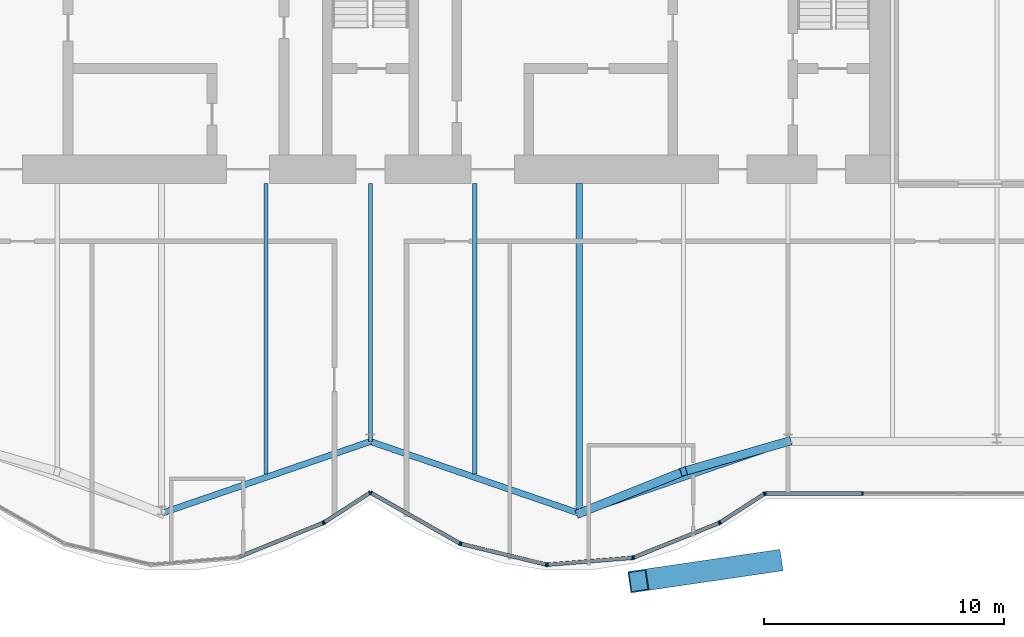
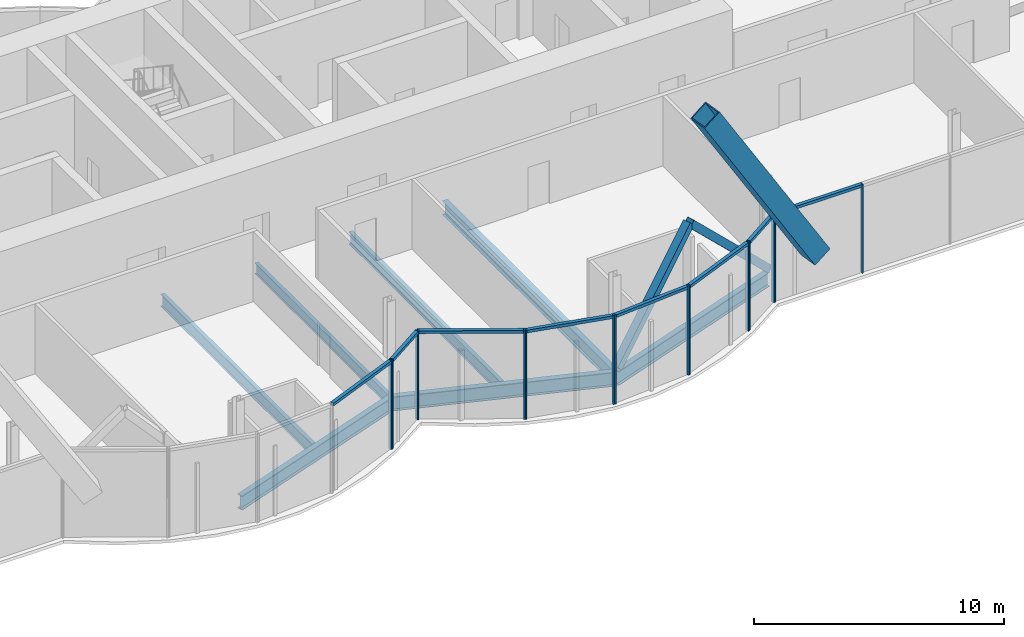
# One storey, part 10 of 22: 26 members, 7 beams, 3 elements without a shape of their own.
"""IFC4 building model written with IfcOpenShell, lengths in metres."""

from ifc_helpers import new_model, si_unit, direction, frame, origin, origin_2d, place, context, subcontext, project, spatial, rectangle, hollow_rectangle, i_section, extrude, material, material_profile, profile_set, type_object, element, aggregate, save


model = new_model("IFC4")

# Units and contexts
model_context = context("Model", 3, precision=1e-05, world=origin(), true_north=direction((0.0, 1.0)))
body_context = subcontext(model_context, "Body", "Model", "MODEL_VIEW")
ifc_project = project(units=[si_unit("LENGTHUNIT", "METRE"), si_unit("AREAUNIT", "SQUARE_METRE"), si_unit("VOLUMEUNIT", "CUBIC_METRE"), si_unit("PLANEANGLEUNIT", "RADIAN"), si_unit("MASSUNIT", "GRAM", prefix="KILO")], contexts=[model_context])

# Site, building, storey
site_placement = place(None, origin())
site = spatial("IfcSite", under=ifc_project, at=site_placement, CompositionType="ELEMENT")
building_placement = place(site_placement, origin())
building = spatial("IfcBuilding", under=site, at=building_placement, Name="Bicima Exchange Tower", CompositionType="ELEMENT")
storey_placement = place(building_placement, frame((0.0, 0.0, 315.5)))
storey = spatial("IfcBuildingStorey", under=building, at=storey_placement, Name="L71", CompositionType="ELEMENT", Elevation=315.5)

# Member
ifc_material_1 = material(Name="Steel ASTM A572 Gr 50", Category="steel")
ifc_material_profile_1 = material_profile(ifc_material_1, hollow_rectangle(XDim=0.89990234375, YDim=0.89990234375, WallThickness=0.050048828125, at=origin_2d()))
ifc_profile_set_1 = profile_set([ifc_material_profile_1], Name="Steel ASTM A572 Gr 50")
member_type_1 = type_object("IfcMemberType", Name="Exo mega brace BOX 900x900x50", PredefinedType="BRACE", material=ifc_profile_set_1)
member_1_placement = place(storey_placement, frame((16.75, -28.734375, 4.02490234375), z_axis=(-0.519708632866, -0.07601667659, 0.850954993995), x_axis=(0.144727891358, -0.989471494012, 0.0)))
element("IfcMember", 1, at=member_1_placement, inside=storey, type_object=member_type_1, Name="Exo mega brace front", PredefinedType="BRACE", context=body_context, shape_type="SweptSolid", body=[
    extrude(hollow_rectangle(XDim=0.89990234375, YDim=0.89990234375, WallThickness=0.050048828125, at=origin_2d()), origin(), (0.0, 0.0, 1.0), 10.7431640625),
])

# Beams
ifc_material_2 = material(Name="Steel ASTM A992 Gr 50", Category="steel")
ifc_material_profile_2 = material_profile(ifc_material_2, i_section(OverallWidth=0.165771484375, OverallDepth=0.5283203125, WebThickness=0.009765625, FlangeThickness=0.013671875, at=origin_2d()))
ifc_profile_set_2 = profile_set([ifc_material_profile_2], Name="Steel ASTM A992 Gr 50")
beam_type_1 = type_object("IfcBeamType", Name="Floor beam W21x50", PredefinedType="JOIST", material=ifc_profile_set_2)
beam_1_placement = place(storey_placement, frame((0.0, -13.0, -0.414306640625), z_axis=(0.0, -1.0, 0.0), x_axis=(1.0, 0.0, 0.0)))
element("IfcBeam", 2, at=beam_1_placement, inside=storey, type_object=beam_type_1, Name="Floor beam", PredefinedType="JOIST", context=body_context, shape_type="SweptSolid", body=[
    extrude(i_section(OverallWidth=0.165771484375, OverallDepth=0.5283203125, WebThickness=0.009765625, FlangeThickness=0.013671875, at=origin_2d()), origin(), (0.0, 0.0, 1.0), 10.739990234375),
])
ifc_material_profile_3 = material_profile(ifc_material_2, i_section(OverallWidth=0.177978515625, OverallDepth=0.599365234375, WebThickness=0.010009765625, FlangeThickness=0.012939453125, at=origin_2d()))
ifc_profile_set_3 = profile_set([ifc_material_profile_3], Name="Steel ASTM A992 Gr 50")
beam_type_2 = type_object("IfcBeamType", Name="Floor beam W24x55", PredefinedType="JOIST", material=ifc_profile_set_3)
for number, where, z_axis, x_axis, name in (
    (3, (-4.35009765625, -13.0, -0.44970703125), (0.0, -1.0, 0.0), (1.0, 0.0, 0.0), "Floor beam"),
    (4, (4.35009765625, -13.0, -0.44970703125), (0.0, -1.0, 0.0), (1.0, 0.0, 0.0), "Floor beam"),
):
    element("IfcBeam", number, at=place(storey_placement, frame(where, z_axis=z_axis, x_axis=x_axis)), inside=storey, type_object=beam_type_2, Name=name, PredefinedType="JOIST", context=body_context, shape_type="SweptSolid", body=[
        extrude(i_section(OverallWidth=0.177978515625, OverallDepth=0.599365234375, WebThickness=0.010009765625, FlangeThickness=0.012939453125, at=origin_2d()), origin(), (0.0, 0.0, 1.0), 12.099853515625),
    ])
ifc_material_profile_4 = material_profile(ifc_material_2, i_section(OverallWidth=0.25390625, OverallDepth=0.67822265625, WebThickness=0.01171875, FlangeThickness=0.016357421875, at=origin_2d()))
ifc_profile_set_4 = profile_set([ifc_material_profile_4], Name="Steel ASTM A992 Gr 50")
beam_type_3 = type_object("IfcBeamType", Name="Floor beam W27x84", PredefinedType="JOIST", material=ifc_profile_set_4)
beam_2_placement = place(storey_placement, frame((8.699951171875, -13.0, -0.489013671875), z_axis=(0.0, -1.0, 0.0), x_axis=(1.0, 0.0, 0.0)))
element("IfcBeam", 5, at=beam_2_placement, inside=storey, type_object=beam_type_3, Name="Floor beam", PredefinedType="JOIST", context=body_context, shape_type="SweptSolid", body=[
    extrude(i_section(OverallWidth=0.25390625, OverallDepth=0.67822265625, WebThickness=0.01171875, FlangeThickness=0.016357421875, at=origin_2d()), origin(), (0.0, 0.0, 1.0), 13.595458984375),
])
ifc_material_profile_5 = material_profile(ifc_material_2, i_section(OverallWidth=0.256591796875, OverallDepth=0.693359375, WebThickness=0.014404296875, FlangeThickness=0.023681640625, at=origin_2d()))
ifc_profile_set_5 = profile_set([ifc_material_profile_5], Name="Steel ASTM A992 Gr 50")
beam_type_4 = type_object("IfcBeamType", Name="Front girder W27x114", PredefinedType="BEAM", material=ifc_profile_set_5)
for number, where, z_axis, x_axis, name in (
    (6, (-8.699951171875, -26.731201171875, -0.49658203125), (0.945666456746, 0.325138359143, 0.0), (-0.325138359143, 0.945666456746, 0.0), "Front girder"),
    (7, (0.0, -23.739990234375, -0.49658203125), (0.945666456746, -0.325138359143, 0.0), (0.325138359143, 0.945666456746, 0.0), "Front girder"),
    (8, (8.699951171875, -26.731201171875, -0.49658203125), (0.945666456746, 0.325138359143, 0.0), (-0.325138359143, 0.945666456746, 0.0), "Front girder"),
):
    element("IfcBeam", number, at=place(storey_placement, frame(where, z_axis=z_axis, x_axis=x_axis)), inside=storey, type_object=beam_type_4, Name=name, PredefinedType="BEAM", context=body_context, shape_type="SweptSolid", body=[
        extrude(i_section(OverallWidth=0.256591796875, OverallDepth=0.693359375, WebThickness=0.014404296875, FlangeThickness=0.023681640625, at=origin_2d()), origin(), (0.0, 0.0, 1.0), 9.19970703125),
    ])

# Curtain wall, members
ifc_material_3 = material(Name="Anodised bronze aluminium", Category="aluminium")
curtain_wall_type = type_object("IfcCurtainWallType", Name="Front glass wall", PredefinedType="NOTDEFINED", material=ifc_material_3)
curtain_wall_1_placement = place(storey_placement, origin())
curtain_wall_1 = element("IfcCurtainWall", 9, at=curtain_wall_1_placement, inside=storey, type_object=curtain_wall_type, Name="Front glass wall L71 run 6", PredefinedType="NOTDEFINED")
ifc_material_profile_6 = material_profile(ifc_material_3, rectangle(XDim=0.159912109375, YDim=0.06005859375, at=origin_2d()))
ifc_profile_set_6 = profile_set([ifc_material_profile_6], Name="Anodised bronze aluminium")
member_type_2 = type_object("IfcMemberType", Name="Front glass wall mullion 60 x 160", PredefinedType="MULLION", material=ifc_profile_set_6)
member_2_placement = place(storey_placement, frame((-1.97412109375, -27.135498046875, 0.0), z_axis=(0.0, 0.0, 1.0), x_axis=(-0.374705304, 0.92714396679, 0.0)))
member_2 = element("IfcMember", 10, at=member_2_placement, type_object=member_type_2, Name="Front glass wall mullion 2", PredefinedType="MULLION", context=body_context, shape_type="SweptSolid", body=[
    extrude(rectangle(XDim=0.159912109375, YDim=0.06005859375, at=origin_2d()), origin(), (0.0, 0.0, 1.0), 4.35009765625),
])
member_3_placement = place(storey_placement, frame((-1.921142578125, -27.108154296875, 0.0), z_axis=(0.0, 0.0, 1.0), x_axis=(-0.542897457326, 0.839798994301, 0.0)))
member_3 = element("IfcMember", 11, at=member_3_placement, type_object=member_type_2, Name="Front glass wall mullion 1", PredefinedType="MULLION", context=body_context, shape_type="SweptSolid", body=[
    extrude(rectangle(XDim=0.159912109375, YDim=0.06005859375, at=origin_2d()), origin(), (0.0, 0.0, 1.0), 4.35009765625),
])
member_4_placement = place(storey_placement, frame((-0.025146484375, -25.88232421875, 0.0), z_axis=(0.0, 0.0, 1.0), x_axis=(-0.542897457326, 0.839798994301, 0.0)))
member_4 = element("IfcMember", 12, at=member_4_placement, type_object=member_type_2, Name="Front glass wall mullion 2", PredefinedType="MULLION", context=body_context, shape_type="SweptSolid", body=[
    extrude(rectangle(XDim=0.159912109375, YDim=0.06005859375, at=origin_2d()), origin(), (0.0, 0.0, 1.0), 4.35009765625),
])

curtain_wall_2_placement = place(storey_placement, origin())
curtain_wall_2 = element("IfcCurtainWall", 13, at=curtain_wall_2_placement, inside=storey, type_object=curtain_wall_type, Name="Front glass wall L71 run 11", PredefinedType="NOTDEFINED")
member_5_placement = place(storey_placement, frame((0.026123046875, -25.881103515625, 0.0), z_axis=(0.0, 0.0, 1.0), x_axis=(0.494330311331, 0.869274147378, 0.0)))
member_5 = element("IfcMember", 14, at=member_5_placement, type_object=member_type_2, Name="Front glass wall mullion 1", PredefinedType="MULLION", context=body_context, shape_type="SweptSolid", body=[
    extrude(rectangle(XDim=0.159912109375, YDim=0.06005859375, at=origin_2d()), origin(), (0.0, 0.0, 1.0), 4.35009765625),
])
member_6_placement = place(storey_placement, frame((3.7265625, -27.9853515625, 0.0), z_axis=(0.0, 0.0, 1.0), x_axis=(0.494330311331, 0.869274147378, 0.0)))
member_6 = element("IfcMember", 15, at=member_6_placement, type_object=member_type_2, Name="Front glass wall mullion 2", PredefinedType="MULLION", context=body_context, shape_type="SweptSolid", body=[
    extrude(rectangle(XDim=0.159912109375, YDim=0.06005859375, at=origin_2d()), origin(), (0.0, 0.0, 1.0), 4.35009765625),
])
member_7_placement = place(storey_placement, frame((3.781982421875, -28.00732421875, 0.0), z_axis=(0.0, 0.0, 1.0), x_axis=(0.235681529503, 0.971830343553, 0.0)))
member_7 = element("IfcMember", 16, at=member_7_placement, type_object=member_type_2, Name="Front glass wall mullion 1", PredefinedType="MULLION", context=body_context, shape_type="SweptSolid", body=[
    extrude(rectangle(XDim=0.159912109375, YDim=0.06005859375, at=origin_2d()), origin(), (0.0, 0.0, 1.0), 4.35009765625),
])
member_8_placement = place(storey_placement, frame((7.322509765625, -28.865966796875, 0.0), z_axis=(0.0, 0.0, 1.0), x_axis=(0.235681529503, 0.971830343553, 0.0)))
member_8 = element("IfcMember", 17, at=member_8_placement, type_object=member_type_2, Name="Front glass wall mullion 2", PredefinedType="MULLION", context=body_context, shape_type="SweptSolid", body=[
    extrude(rectangle(XDim=0.159912109375, YDim=0.06005859375, at=origin_2d()), origin(), (0.0, 0.0, 1.0), 4.35009765625),
])
member_9_placement = place(storey_placement, frame((7.381591796875, -28.87060546875, 0.0), z_axis=(0.0, 0.0, 1.0), x_axis=(-0.080588612633, 0.99674744821, 0.0)))
member_9 = element("IfcMember", 18, at=member_9_placement, type_object=member_type_2, Name="Front glass wall mullion 1", PredefinedType="MULLION", context=body_context, shape_type="SweptSolid", body=[
    extrude(rectangle(XDim=0.159912109375, YDim=0.06005859375, at=origin_2d()), origin(), (0.0, 0.0, 1.0), 4.35009765625),
])
member_10_placement = place(storey_placement, frame((10.916015625, -28.584716796875, 0.0), z_axis=(0.0, 0.0, 1.0), x_axis=(-0.080588612633, 0.99674744821, 0.0)))
member_10 = element("IfcMember", 19, at=member_10_placement, type_object=member_type_2, Name="Front glass wall mullion 2", PredefinedType="MULLION", context=body_context, shape_type="SweptSolid", body=[
    extrude(rectangle(XDim=0.159912109375, YDim=0.06005859375, at=origin_2d()), origin(), (0.0, 0.0, 1.0), 4.35009765625),
])
member_11_placement = place(storey_placement, frame((10.973876953125, -28.5712890625, 0.0), z_axis=(0.0, 0.0, 1.0), x_axis=(-0.374705304, 0.92714396679, 0.0)))
member_11 = element("IfcMember", 20, at=member_11_placement, type_object=member_type_2, Name="Front glass wall mullion 1", PredefinedType="MULLION", context=body_context, shape_type="SweptSolid", body=[
    extrude(rectangle(XDim=0.159912109375, YDim=0.06005859375, at=origin_2d()), origin(), (0.0, 0.0, 1.0), 4.35009765625),
])
member_12_placement = place(storey_placement, frame((14.52587890625, -27.135498046875, 0.0), z_axis=(0.0, 0.0, 1.0), x_axis=(-0.374705304, 0.92714396679, 0.0)))
member_12 = element("IfcMember", 21, at=member_12_placement, type_object=member_type_2, Name="Front glass wall mullion 2", PredefinedType="MULLION", context=body_context, shape_type="SweptSolid", body=[
    extrude(rectangle(XDim=0.159912109375, YDim=0.06005859375, at=origin_2d()), origin(), (0.0, 0.0, 1.0), 4.35009765625),
])
member_13_placement = place(storey_placement, frame((14.578857421875, -27.108154296875, 0.0), z_axis=(0.0, 0.0, 1.0), x_axis=(-0.542909183079, 0.839791413941, 0.0)))
member_13 = element("IfcMember", 22, at=member_13_placement, type_object=member_type_2, Name="Front glass wall mullion 1", PredefinedType="MULLION", context=body_context, shape_type="SweptSolid", body=[
    extrude(rectangle(XDim=0.159912109375, YDim=0.06005859375, at=origin_2d()), origin(), (0.0, 0.0, 1.0), 4.35009765625),
])
member_14_placement = place(storey_placement, frame((16.406982421875, -25.92626953125, 0.0), z_axis=(0.0, 0.0, 1.0), x_axis=(-0.542909183079, 0.839791413941, 0.0)))
member_14 = element("IfcMember", 23, at=member_14_placement, type_object=member_type_2, Name="Front glass wall mullion 2", PredefinedType="MULLION", context=body_context, shape_type="SweptSolid", body=[
    extrude(rectangle(XDim=0.159912109375, YDim=0.06005859375, at=origin_2d()), origin(), (0.0, 0.0, 1.0), 4.35009765625),
])

curtain_wall_3_placement = place(storey_placement, origin())
curtain_wall_3 = element("IfcCurtainWall", 24, at=curtain_wall_3_placement, inside=storey, type_object=curtain_wall_type, Name="Front glass wall L71 run 16", PredefinedType="NOTDEFINED")
member_15_placement = place(storey_placement, frame((16.462158203125, -25.909912109375, 0.0), z_axis=(0.0, 0.0, 1.0), x_axis=(0.0, 1.0, 0.0)))
member_15 = element("IfcMember", 25, at=member_15_placement, type_object=member_type_2, Name="Front glass wall mullion 1", PredefinedType="MULLION", context=body_context, shape_type="SweptSolid", body=[
    extrude(rectangle(XDim=0.159912109375, YDim=0.06005859375, at=origin_2d()), origin(), (0.0, 0.0, 1.0), 4.35009765625),
])
member_16_placement = place(storey_placement, frame((20.51171875, -25.909912109375, 0.0), z_axis=(0.0, 0.0, 1.0), x_axis=(0.0, 1.0, 0.0)))
member_16 = element("IfcMember", 26, at=member_16_placement, type_object=member_type_2, Name="Front glass wall mullion 2", PredefinedType="MULLION", context=body_context, shape_type="SweptSolid", body=[
    extrude(rectangle(XDim=0.159912109375, YDim=0.06005859375, at=origin_2d()), origin(), (0.0, 0.0, 1.0), 4.35009765625),
])

# Member
ifc_material_profile_7 = material_profile(ifc_material_3, rectangle(XDim=0.159912109375, YDim=0.139892578125, at=origin_2d()))
ifc_profile_set_7 = profile_set([ifc_material_profile_7], Name="Anodised bronze aluminium")
member_type_3 = type_object("IfcMemberType", Name="Front glass wall transom 140 x 160", PredefinedType="USERDEFINED", material=ifc_profile_set_7)
member_17_placement = place(storey_placement, frame((-5.498291015625, -28.559814453125, 4.280029296875), z_axis=(0.927140215882, 0.374714584842, 0.0), x_axis=(-0.374714584842, 0.927140215882, 0.0)))
member_17 = element("IfcMember", 27, at=member_17_placement, type_object=member_type_3, Name="Front glass wall transom 1.1", ObjectType="TRANSOM", PredefinedType="USERDEFINED", context=body_context, shape_type="SweptSolid", body=[
    extrude(rectangle(XDim=0.159912109375, YDim=0.139892578125, at=origin_2d()), origin(), (0.0, 0.0, 1.0), 3.77099609375),
])

member_18_placement = place(storey_placement, frame((-1.89599609375, -27.091796875, 4.280029296875), z_axis=(0.839811483481, 0.542878137536, 0.0), x_axis=(-0.542878137536, 0.839811483481, 0.0)))
member_18 = element("IfcMember", 28, at=member_18_placement, type_object=member_type_3, Name="Front glass wall transom 1.1", ObjectType="TRANSOM", PredefinedType="USERDEFINED", context=body_context, shape_type="SweptSolid", body=[
    extrude(rectangle(XDim=0.159912109375, YDim=0.139892578125, at=origin_2d()), origin(), (0.0, 0.0, 1.0), 2.19775390625),
])

aggregate(curtain_wall_1, [member_2, member_17, member_3, member_4, member_18])

member_19_placement = place(storey_placement, frame((0.05224609375, -25.895751953125, 4.280029296875), z_axis=(0.869265121745, -0.494346182466, 0.0), x_axis=(0.494346182466, 0.869265121745, 0.0)))
member_19 = element("IfcMember", 29, at=member_19_placement, type_object=member_type_3, Name="Front glass wall transom 1.1", ObjectType="TRANSOM", PredefinedType="USERDEFINED", context=body_context, shape_type="SweptSolid", body=[
    extrude(rectangle(XDim=0.159912109375, YDim=0.139892578125, at=origin_2d()), origin(), (0.0, 0.0, 1.0), 4.19677734375),
])

member_20_placement = place(storey_placement, frame((3.81103515625, -28.014404296875, 4.280029296875), z_axis=(0.971833557815, -0.235668275132, 0.0), x_axis=(0.235668275132, 0.971833557815, 0.0)))
member_20 = element("IfcMember", 30, at=member_20_placement, type_object=member_type_3, Name="Front glass wall transom 1.1", ObjectType="TRANSOM", PredefinedType="USERDEFINED", context=body_context, shape_type="SweptSolid", body=[
    extrude(rectangle(XDim=0.159912109375, YDim=0.139892578125, at=origin_2d()), origin(), (0.0, 0.0, 1.0), 3.583251953125),
])

member_21_placement = place(storey_placement, frame((7.41162109375, -28.8681640625, 4.280029296875), z_axis=(0.9967456465, 0.080610893699, 0.0), x_axis=(-0.080610893699, 0.9967456465, 0.0)))
member_21 = element("IfcMember", 31, at=member_21_placement, type_object=member_type_3, Name="Front glass wall transom 1.1", ObjectType="TRANSOM", PredefinedType="USERDEFINED", context=body_context, shape_type="SweptSolid", body=[
    extrude(rectangle(XDim=0.159912109375, YDim=0.139892578125, at=origin_2d()), origin(), (0.0, 0.0, 1.0), 3.48583984375),
])

member_22_placement = place(storey_placement, frame((11.001708984375, -28.559814453125, 4.280029296875), z_axis=(0.927140215882, 0.374714584842, 0.0), x_axis=(-0.374714584842, 0.927140215882, 0.0)))
member_22 = element("IfcMember", 32, at=member_22_placement, type_object=member_type_3, Name="Front glass wall transom 1.1", ObjectType="TRANSOM", PredefinedType="USERDEFINED", context=body_context, shape_type="SweptSolid", body=[
    extrude(rectangle(XDim=0.159912109375, YDim=0.139892578125, at=origin_2d()), origin(), (0.0, 0.0, 1.0), 3.77099609375),
])

member_23_placement = place(storey_placement, frame((14.60400390625, -27.091796875, 4.280029296875), z_axis=(0.839792890287, 0.542906899407, 0.0), x_axis=(-0.542906899407, 0.839792890287, 0.0)))
member_23 = element("IfcMember", 33, at=member_23_placement, type_object=member_type_3, Name="Front glass wall transom 1.1", ObjectType="TRANSOM", PredefinedType="USERDEFINED", context=body_context, shape_type="SweptSolid", body=[
    extrude(rectangle(XDim=0.159912109375, YDim=0.139892578125, at=origin_2d()), origin(), (0.0, 0.0, 1.0), 2.11669921875),
])

aggregate(curtain_wall_2, [member_5, member_6, member_19, member_7, member_8, member_20, member_9, member_10, member_21, member_11, member_12, member_22, member_13, member_14, member_23])

member_24_placement = place(storey_placement, frame((16.4921875, -25.909912109375, 4.280029296875), z_axis=(1.0, 0.0, 0.0), x_axis=(0.0, 1.0, 0.0)))
member_24 = element("IfcMember", 34, at=member_24_placement, type_object=member_type_3, Name="Front glass wall transom 1.1", ObjectType="TRANSOM", PredefinedType="USERDEFINED", context=body_context, shape_type="SweptSolid", body=[
    extrude(rectangle(XDim=0.159912109375, YDim=0.139892578125, at=origin_2d()), origin(), (0.0, 0.0, 1.0), 3.989501953125),
])

aggregate(curtain_wall_3, [member_15, member_16, member_24])

# Members
ifc_material_profile_8 = material_profile(ifc_material_1, hollow_rectangle(XDim=0.355712890625, YDim=0.355712890625, WallThickness=0.01171875, at=origin_2d()))
ifc_profile_set_8 = profile_set([ifc_material_profile_8], Name="Steel ASTM A572 Gr 50")
member_type_4 = type_object("IfcMemberType", Name="Mega brace HSS14x14x1/2", PredefinedType="BRACE", material=ifc_profile_set_8)
member_25_placement = place(storey_placement, frame((8.699951171875, -26.731201171875, 0.0), z_axis=(0.669641624162, 0.267811550891, 0.692717163349), x_axis=(-0.3713367687, 0.928498252132, 0.0)))
element("IfcMember", 35, at=member_25_placement, inside=storey, type_object=member_type_4, Name="Mega brace front", PredefinedType="BRACE", context=body_context, shape_type="SweptSolid", body=[
    extrude(hollow_rectangle(XDim=0.355712890625, YDim=0.355712890625, WallThickness=0.01171875, at=origin_2d()), origin(), (0.0, 0.0, 1.0), 6.49609375),
])
member_26_placement = place(storey_placement, frame((17.39990234375, -23.739990234375, 0.0), z_axis=(-0.681519101026, -0.196074923492, 0.705043501718), x_axis=(0.27648739579, -0.961017544049, 0.0)))
element("IfcMember", 36, at=member_26_placement, inside=storey, type_object=member_type_4, Name="Mega brace front", PredefinedType="BRACE", context=body_context, shape_type="SweptSolid", body=[
    extrude(hollow_rectangle(XDim=0.355712890625, YDim=0.355712890625, WallThickness=0.01171875, at=origin_2d()), origin(), (0.0, 0.0, 1.0), 6.382568359375),
])

save(model, "model.ifc")
